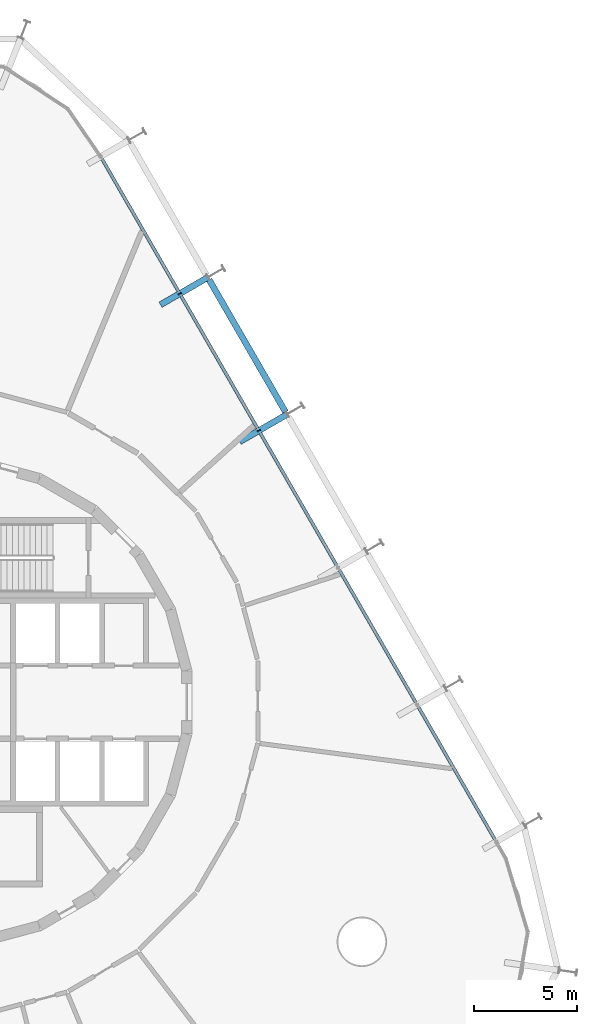
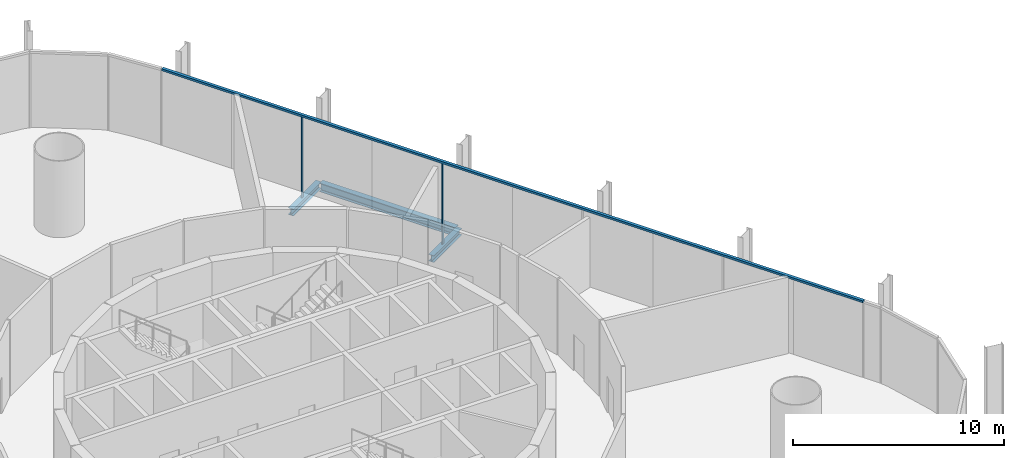
# One storey, part 10 of 17: 3 beams, 3 members, 1 element without a shape of its own.
"""IFC4 building model written with IfcOpenShell, lengths in metres."""

from ifc_helpers import new_model, si_unit, direction, frame, origin, origin_2d, place, context, subcontext, project, spatial, rectangle, i_section, extrude, material, layer, layer_set, material_profile, profile_set, type_object, element, aggregate, save


model = new_model("IFC4")

# Units and contexts
model_context = context("Model", 3, precision=1e-05, world=origin(), true_north=direction((0.0, 1.0)))
body_context = subcontext(model_context, "Body", "Model", "MODEL_VIEW")
ifc_project = project(units=[si_unit("LENGTHUNIT", "METRE"), si_unit("AREAUNIT", "SQUARE_METRE"), si_unit("VOLUMEUNIT", "CUBIC_METRE"), si_unit("PLANEANGLEUNIT", "RADIAN"), si_unit("MASSUNIT", "GRAM", prefix="KILO")], contexts=[model_context])

# Site, building, storey
site_placement = place(None, origin())
site = spatial("IfcSite", under=ifc_project, at=site_placement, CompositionType="ELEMENT")
building_placement = place(site_placement, origin())
building = spatial("IfcBuilding", under=site, at=building_placement, Name="Spindle Arch Residences", CompositionType="ELEMENT")
storey_placement = place(building_placement, frame((0.0, 0.0, 23.39990234375)))
storey = spatial("IfcBuildingStorey", under=building, at=storey_placement, Name="L04", CompositionType="ELEMENT", Elevation=23.39990234375)

# Curtain wall, members
ifc_material_1 = material(Name="Aluminium bronze unitised frame with tinted glass", Category="aluminium")
ifc_layer = layer(ifc_material_1, 0.159912109375)
ifc_layer_set = layer_set([ifc_layer], Name="CW-B amenity podium glazed wall")
curtain_wall_type = type_object("IfcCurtainWallType", Name="CW-B amenity podium glazed wall", PredefinedType="NOTDEFINED", material=ifc_layer_set)
curtain_wall_placement = place(storey_placement, origin())
curtain_wall = element("IfcCurtainWall", 1, at=curtain_wall_placement, inside=storey, type_object=curtain_wall_type, Name="CW-B L04 run 2", PredefinedType="NOTDEFINED")
ifc_material_2 = material(Name="Aluminium bronze anodised mullion", Category="aluminium")
ifc_material_profile_1 = material_profile(ifc_material_2, rectangle(XDim=0.159912109375, YDim=0.06005859375, at=origin_2d()), Name="MU 60x160")
ifc_profile_set_1 = profile_set([ifc_material_profile_1], Name="Aluminium bronze anodised mullion")
member_type_1 = type_object("IfcMemberType", Name="Bronze mullion 60x160", PredefinedType="MULLION", material=ifc_profile_set_1)
member_1_placement = place(storey_placement, frame((15.149169921875, 13.180419921875, -0.3798828125), z_axis=(0.0, 0.0, 1.0), x_axis=(-0.866025403784, -0.5, 0.0)))
member_1 = element("IfcMember", 2, at=member_1_placement, type_object=member_type_1, Name="CW-B mullion 08", PredefinedType="MULLION", context=body_context, shape_type="SweptSolid", body=[
    extrude(rectangle(XDim=0.159912109375, YDim=0.06005859375, at=origin_2d()), origin(), (0.0, 0.0, 1.0), 4.679931640625),
])
member_2_placement = place(storey_placement, frame((11.309326171875, 19.83154296875, -0.3798828125), z_axis=(0.0, 0.0, 1.0), x_axis=(-0.866025403784, -0.5, 0.0)))
member_2 = element("IfcMember", 3, at=member_2_placement, type_object=member_type_1, Name="CW-B mullion 09", PredefinedType="MULLION", context=body_context, shape_type="SweptSolid", body=[
    extrude(rectangle(XDim=0.159912109375, YDim=0.06005859375, at=origin_2d()), origin(), (0.0, 0.0, 1.0), 4.679931640625),
])
ifc_material_3 = material(Name="Aluminium bronze anodised transom", Category="aluminium")
ifc_material_profile_2 = material_profile(ifc_material_3, rectangle(XDim=0.159912109375, YDim=0.1201171875, at=origin_2d()), Name="TR 120x160")
ifc_profile_set_2 = profile_set([ifc_material_profile_2], Name="Aluminium bronze anodised transom")
member_type_2 = type_object("IfcMemberType", Name="Bronze transom 120x160", PredefinedType="USERDEFINED", material=ifc_profile_set_2)
member_3_placement = place(storey_placement, frame((26.654296875, -6.746826171875, 4.360107421875), z_axis=(-0.50000099666, 0.866024828362, 0.0), x_axis=(-0.866024828362, -0.50000099666, 0.0)))
member_3 = element("IfcMember", 4, at=member_3_placement, type_object=member_type_2, Name="CW-B transom 00", ObjectType="TRANSOM", PredefinedType="USERDEFINED", context=body_context, shape_type="SweptSolid", body=[
    extrude(rectangle(XDim=0.159912109375, YDim=0.1201171875, at=origin_2d()), origin(), (0.0, 0.0, 1.0), 38.34033203125),
])
aggregate(curtain_wall, [member_3, member_1, member_2])

# Beams
ifc_material_4 = material(Name="Steel S460ML, intumescent coating R 120", Category="steel")
ifc_material_profile_3 = material_profile(ifc_material_4, i_section(OverallWidth=0.300048828125, OverallDepth=0.5, WebThickness=0.014404296875, FlangeThickness=0.028076171875, FilletRadius=0.027099609375, at=origin_2d()), Name="HEB 500")
ifc_profile_set_3 = profile_set([ifc_material_profile_3], Name="Steel S460ML, intumescent coating R 120")
beam_type_1 = type_object("IfcBeamType", Name="Exoskeleton edge beam HEB 500", PredefinedType="BEAM", material=ifc_profile_set_3)
beam_placement = place(storey_placement, frame((16.44384765625, 14.078125, -0.6298828125), z_axis=(-0.49998923004, 0.866031621735, 0.0), x_axis=(-0.866031621735, -0.49998923004, 0.0)))
element("IfcBeam", 5, at=beam_placement, inside=storey, type_object=beam_type_1, Name="Exoskeleton edge beam 9", PredefinedType="BEAM", context=body_context, shape_type="SweptSolid", body=[
    extrude(i_section(OverallWidth=0.300048828125, OverallDepth=0.5, WebThickness=0.014404296875, FlangeThickness=0.028076171875, FilletRadius=0.027099609375, at=origin_2d()), origin(), (0.0, 0.0, 1.0), 7.420166015625),
])
ifc_material_5 = material(Name="Steel S460ML, intumescent coating R 120", Category="steel")
ifc_material_profile_4 = material_profile(ifc_material_5, i_section(OverallWidth=0.300048828125, OverallDepth=0.389892578125, WebThickness=0.010986328125, FlangeThickness=0.01904296875, FilletRadius=0.027099609375, at=origin_2d()), Name="HEA 400")
ifc_profile_set_4 = profile_set([ifc_material_profile_4], Name="Steel S460ML, intumescent coating R 120")
beam_type_2 = type_object("IfcBeamType", Name="Floor outrigger HEA 400", PredefinedType="BEAM", material=ifc_profile_set_4)
for number, where, z_axis, x_axis, name in (
    (6, (16.5087890625, 13.965576171875, -0.574951171875), (-0.865989200783, -0.500062700197, 0.0), (0.500062700197, -0.865989200783, 0.0), "Floor outrigger 9"),
    (7, (12.6689453125, 20.61669921875, -0.574951171875), (-0.866052124492, -0.499953715521, 0.0), (0.499953715521, -0.866052124492, 0.0), "Floor outrigger 10"),
):
    element("IfcBeam", number, at=place(storey_placement, frame(where, z_axis=z_axis, x_axis=x_axis)), inside=storey, type_object=beam_type_2, Name=name, PredefinedType="BEAM", context=body_context, shape_type="SweptSolid", body=[
        extrude(i_section(OverallWidth=0.300048828125, OverallDepth=0.389892578125, WebThickness=0.010986328125, FlangeThickness=0.01904296875, FilletRadius=0.027099609375, at=origin_2d()), origin(), (0.0, 0.0, 1.0), 2.650146484375),
    ])

save(model, "model.ifc")
